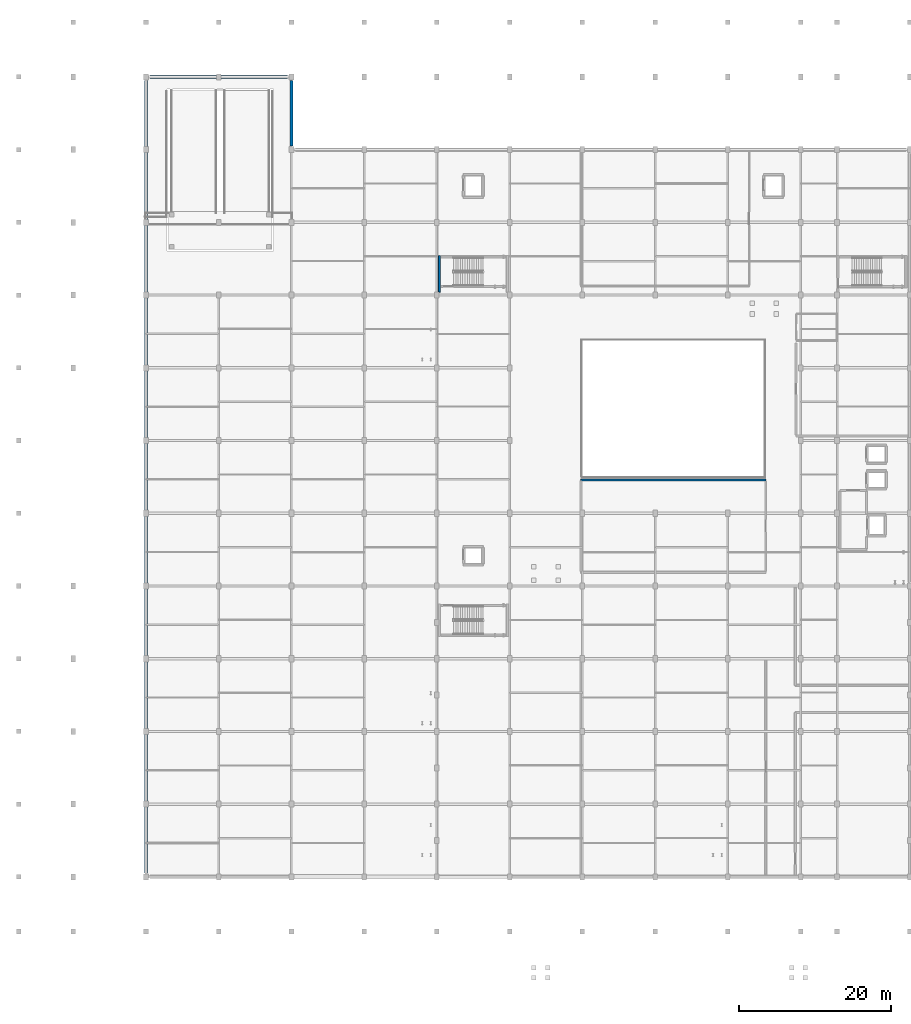
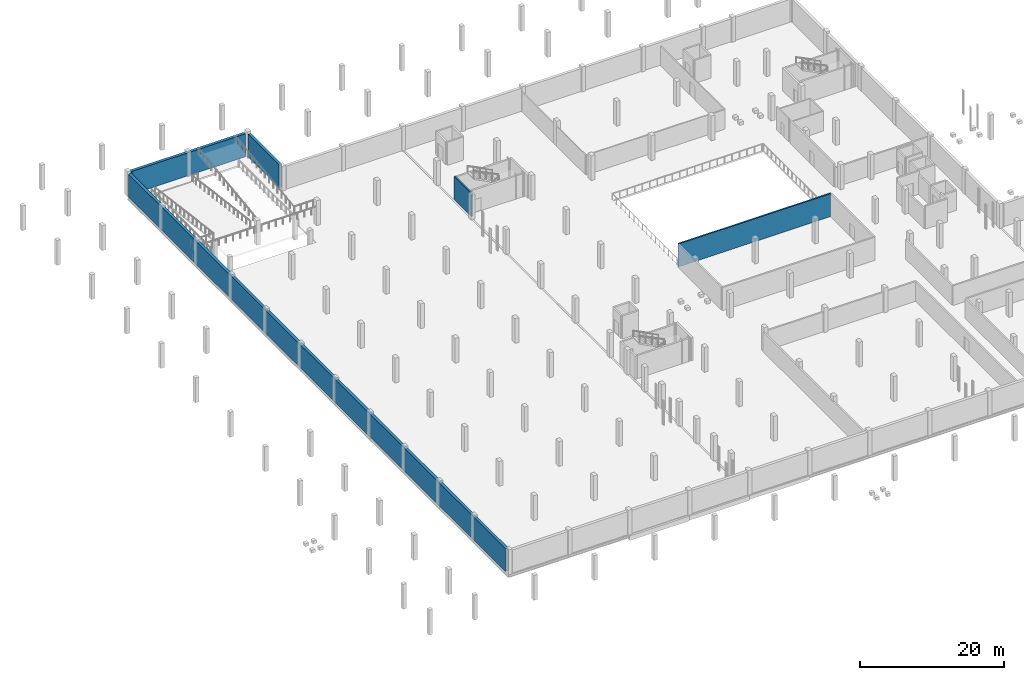
# One storey, part 32 of 47: 5 walls.
"""IFC4 building model written with IfcOpenShell, lengths in metres."""

from ifc_helpers import new_model, si_unit, direction, frame, frame_2d, origin, place, context, subcontext, project, spatial, rectangle, extrude, material, layer, layer_set, type_object, element, save


model = new_model("IFC4")

# Units and contexts
model_context = context("Model", 3, precision=1e-05, world=origin(), true_north=direction((0.0, 1.0)))
body_context = subcontext(model_context, "Body", "Model", "MODEL_VIEW")
ifc_project = project(units=[si_unit("LENGTHUNIT", "METRE"), si_unit("AREAUNIT", "SQUARE_METRE"), si_unit("VOLUMEUNIT", "CUBIC_METRE"), si_unit("PLANEANGLEUNIT", "RADIAN"), si_unit("MASSUNIT", "GRAM", prefix="KILO")], contexts=[model_context])

# Site, building, storey
site_placement = place(None, origin())
site = spatial("IfcSite", under=ifc_project, at=site_placement, CompositionType="ELEMENT")
building_placement = place(site_placement, origin())
building = spatial("IfcBuilding", under=site, at=building_placement, Name="Zevrakil Square Congress Hotel", CompositionType="ELEMENT")
storey_placement = place(building_placement, frame((0.0, 0.0, -4.199951171875)))
storey = spatial("IfcBuildingStorey", under=building, at=storey_placement, Name="B1", CompositionType="ELEMENT", Elevation=-4.199951171875)

# Walls
ifc_material_1 = material(Name="Concrete C35/45", Category="concrete")
ifc_layer_1 = layer(ifc_material_1, 0.239990234375)
ifc_layer_set_1 = layer_set([ifc_layer_1], Name="Concrete C35/45")
wall_type_1 = type_object("IfcWallType", Name="WAL-COMP-240", PredefinedType="SOLIDWALL", material=ifc_layer_set_1)
wall_1_placement = place(storey_placement, frame((74.199951171875, 59.60009765625, 0.0), z_axis=(0.0, 0.0, 1.0), x_axis=(1.0, 0.0, 0.0)))
element("IfcWall", 1, at=wall_1_placement, inside=storey, type_object=wall_type_1, Name="B1 interior partition PW-B1-0109", PredefinedType="SOLIDWALL", context=body_context, shape_type="SweptSolid", body=[
    extrude(rectangle(XDim=24.400146484375, YDim=0.239990234375, at=frame_2d((12.2001953125, 0.0))), origin(), (0.0, 0.0, 1.0), 3.8798828125),
])
ifc_material_2 = material(Name="Concrete C40/50", Category="concrete")
ifc_layer_2 = layer(ifc_material_2, 0.449951171875)
ifc_layer_set_2 = layer_set([ifc_layer_2], Name="Concrete C40/50")
wall_type_2 = type_object("IfcWallType", Name="WAL-RET-450", PredefinedType="SOLIDWALL", material=ifc_layer_set_2)
wall_2_placement = place(storey_placement, frame((36.0, 103.699951171875, 0.0), z_axis=(0.0, 0.0, 1.0), x_axis=(0.0, 1.0, 0.0)))
element("IfcWall", 2, at=wall_2_placement, inside=storey, type_object=wall_type_2, Name="B1 perimeter concrete retaining wall 6", PredefinedType="SOLIDWALL", context=body_context, shape_type="SweptSolid", body=[
    extrude(rectangle(XDim=8.60009765625, YDim=0.449951171875, at=frame_2d((4.300048828125, 0.0))), origin(), (0.0, 0.0, 1.0), 3.8798828125),
])
wall_3_placement = place(storey_placement, frame((35.5, 112.800048828125, 0.0), z_axis=(0.0, 0.0, 1.0), x_axis=(-1.0, 0.0, 0.0)))
element("IfcWall", 3, at=wall_3_placement, inside=storey, type_object=wall_type_2, Name="B1 perimeter concrete retaining wall 7", PredefinedType="SOLIDWALL", context=body_context, shape_type="SweptSolid", body=[
    extrude(rectangle(XDim=18.199951171875, YDim=0.449951171875, at=frame_2d((9.10009765625, 0.0))), origin(), (0.0, 0.0, 1.0), 3.8798828125),
])
wall_4_placement = place(storey_placement, frame((16.800048828125, 112.300048828125, 0.0), z_axis=(0.0, 0.0, 1.0), x_axis=(0.0, -1.0, 0.0)))
element("IfcWall", 4, at=wall_4_placement, inside=storey, type_object=wall_type_2, Name="B1 perimeter concrete retaining wall 8", PredefinedType="SOLIDWALL", context=body_context, shape_type="SweptSolid", body=[
    extrude(rectangle(XDim=104.60009765625, YDim=0.449951171875, at=frame_2d((52.300048828125, 0.0))), origin(), (0.0, 0.0, 1.0), 3.8798828125),
])
ifc_material_3 = material(Name="Concrete C40/50", Category="concrete")
ifc_layer_3 = layer(ifc_material_3, 0.260009765625)
ifc_layer_set_3 = layer_set([ifc_layer_3], Name="Concrete C40/50")
wall_type_3 = type_object("IfcWallType", Name="WAL-SHAFT-260", PredefinedType="SHEAR", material=ifc_layer_set_3)
wall_5_placement = place(storey_placement, frame((55.5048828125, 84.3798828125, 0.0), z_axis=(0.0, 0.0, 1.0), x_axis=(0.0, 1.0, 0.0)))
element("IfcWall", 5, at=wall_5_placement, inside=storey, type_object=wall_type_3, Name="B1 ST05 stair shaft W wall", PredefinedType="SHEAR", context=body_context, shape_type="SweptSolid", body=[
    extrude(rectangle(XDim=4.830078125, YDim=0.260009765625, at=frame_2d((2.4150390625, 0.0))), origin(), (0.0, 0.0, 1.0), 3.8798828125),
])

save(model, "model.ifc")
